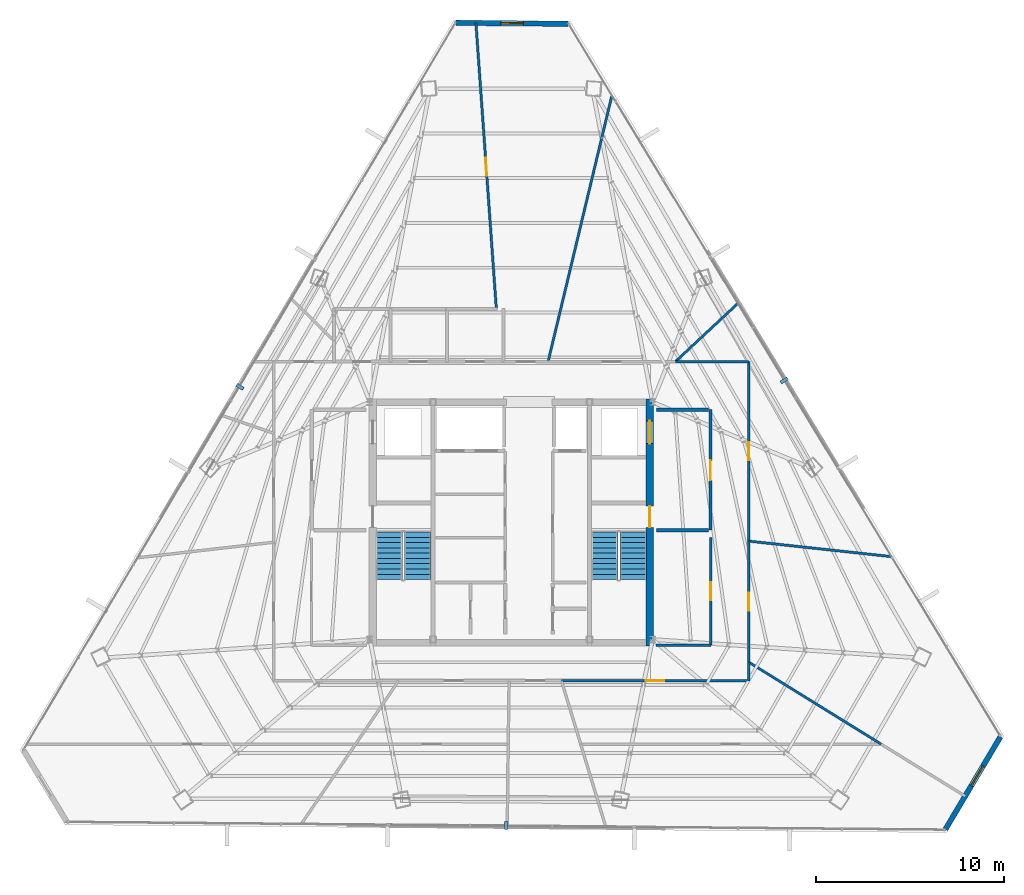
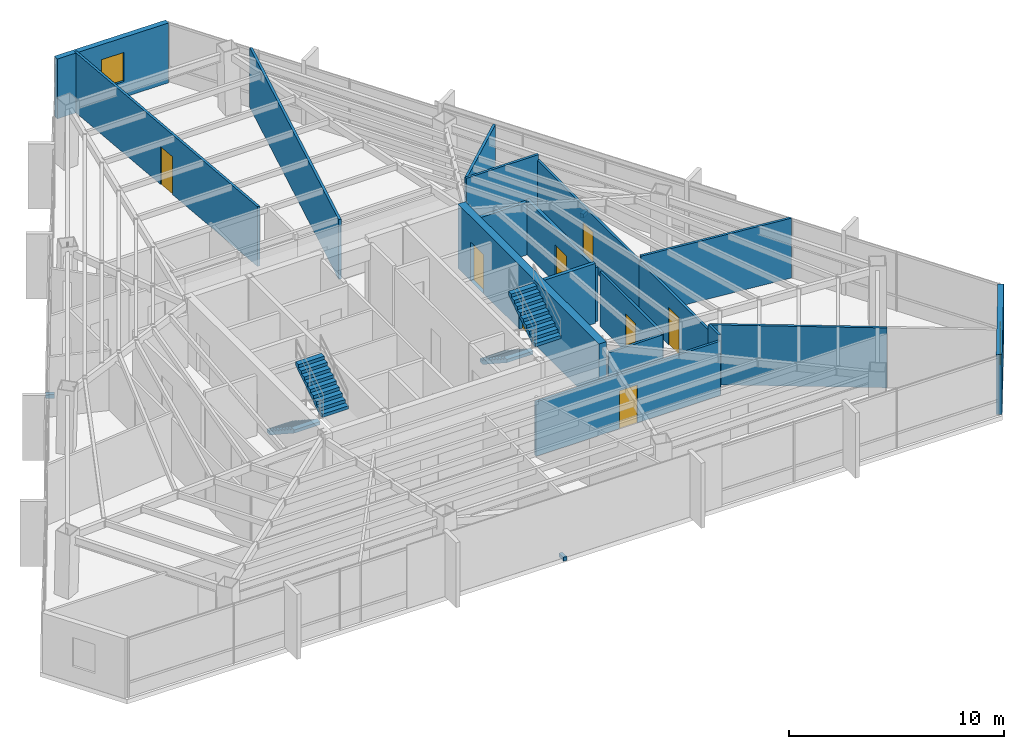
# One storey, part 46 of 49: 18 walls, 8 doors, 4 stair flights, 3 discrete accessories, 2 windows, 10 openings, 2 elements without a shape of their own.
"""IFC4 building model written with IfcOpenShell, lengths in metres."""

from ifc_helpers import new_model, si_unit, direction, frame, frame_2d, origin, origin_2d, place, context, subcontext, project, spatial, polyline, rectangle, outline, extrude, source, transform, mapped, material, layer, layer_set, type_object, type_shapes, element, fill, aggregate, save


model = new_model("IFC4")

# Units and contexts
model_context = context("Model", 3, precision=1e-05, world=origin(), true_north=direction((0.0, 1.0)))
body_context = subcontext(model_context, "Body", "Model", "MODEL_VIEW")
ifc_project = project(units=[si_unit("LENGTHUNIT", "METRE"), si_unit("AREAUNIT", "SQUARE_METRE"), si_unit("VOLUMEUNIT", "CUBIC_METRE"), si_unit("PLANEANGLEUNIT", "RADIAN"), si_unit("MASSUNIT", "GRAM", prefix="KILO")], contexts=[model_context])

# Site, building, storey
site_placement = place(None, origin())
site = spatial("IfcSite", under=ifc_project, at=site_placement, CompositionType="ELEMENT")
building_placement = place(site_placement, origin())
building = spatial("IfcBuilding", under=site, at=building_placement, Name="Caelisora Broadcast Tower", CompositionType="ELEMENT")
storey_placement = place(building_placement, frame((0.0, 0.0, 233.5)))
storey = spatial("IfcBuildingStorey", under=building, at=storey_placement, Name="L61", CompositionType="ELEMENT", Elevation=233.5)

# Wall, openings, doors
ifc_material_1 = material(Name="Concrete 40 MPa (AS 3600 N40)", Category="concrete")
ifc_layer_1 = layer(ifc_material_1, 0.39990234375, Name="Concrete 40 MPa (AS 3600 N40)")
ifc_layer_set_1 = layer_set([ifc_layer_1], Name="Concrete 40 MPa (AS 3600 N40)")
wall_type_1 = type_object("IfcWallType", Name="CW3", PredefinedType="SHEAR", material=ifc_layer_set_1)
wall_1_placement = place(storey_placement, frame((45.360107421875, 17.050048828125, 0.0), z_axis=(0.0, 0.0, 1.0), x_axis=(0.0, 1.0, 0.0)))
wall_1 = element("IfcWall", 1, at=wall_1_placement, inside=storey, type_object=wall_type_1, Name="L61 core shear wall CW3", PredefinedType="SHEAR", context=body_context, shape_type="SweptSolid", body=[
    extrude(rectangle(XDim=13.125, YDim=0.39990234375, at=frame_2d((6.5625, 0.0))), origin(), (0.0, 0.0, 1.0), 3.64990234375),
])
opening_1_placement = place(wall_1_placement, frame((6.300048828125, 0.0, 0.0)))
opening_1 = element("IfcOpeningElement", 2, at=opening_1_placement, cuts=wall_1, Name="Opening FD04", PredefinedType="OPENING", context=body_context, shape_type="SweptSolid", body=[
    extrude(rectangle(XDim=1.1201171875, YDim=2.14990234375, at=frame_2d((0.56005859375, 1.074951171875))), frame((0.0, 0.2119140625, 0.0), z_axis=(0.0, -1.0, 0.0), x_axis=(1.0, 0.0, 0.0)), (0.0, 0.0, 1.0), 0.423828125),
])
opening_2_placement = place(wall_1_placement, frame((10.75, 0.0, 0.0)))
opening_2 = element("IfcOpeningElement", 3, at=opening_2_placement, cuts=wall_1, Name="Opening LD04", PredefinedType="OPENING", context=body_context, shape_type="SweptSolid", body=[
    extrude(rectangle(XDim=1.199951171875, YDim=2.199951171875, at=frame_2d((0.60009765625, 1.10009765625))), frame((0.0, 0.2119140625, 0.0), z_axis=(0.0, -1.0, 0.0), x_axis=(1.0, 0.0, 0.0)), (0.0, 0.0, 1.0), 0.423828125),
])
ifc_material_2 = material(Name="Pressurised Fire-Isolated Stair Door", Category="steel")
door_type_1 = type_object("IfcDoorType", Name="FD04", OperationType="NOTDEFINED", PredefinedType="DOOR", material=ifc_material_2)
door_1_placement = place(opening_1_placement, origin())
door_1 = element("IfcDoor", 4, at=door_1_placement, inside=storey, type_object=door_type_1, Name="L61 door FD04 (L61-DR-ST2)", OperationType="SINGLE_SWING_RIGHT", OverallHeight=2.14990234375, OverallWidth=1.1201171875, PredefinedType="DOOR", context=body_context, shape_type="SweptSolid", body=[
    extrude(rectangle(XDim=1.1201171875, YDim=2.14990234375, at=frame_2d((0.56005859375, 1.074951171875))), frame((0.0, 0.02490234375, 0.0), z_axis=(0.0, -1.0, 0.0), x_axis=(1.0, 0.0, 0.0)), (0.0, 0.0, 1.0), 0.050048828125),
])
fill(opening_1, door_1)
ifc_material_3 = material(Name="Emergency Firefighting Lift Sliding Landing Door", Category="steel")
door_type_2 = type_object("IfcDoorType", Name="LD04", OperationType="NOTDEFINED", PredefinedType="DOOR", material=ifc_material_3)
door_2_placement = place(opening_2_placement, origin())
door_2 = element("IfcDoor", 5, at=door_2_placement, inside=storey, type_object=door_type_2, Name="L61 door LD04 (L61-LD-FFL2)", OperationType="SLIDING_TO_RIGHT", OverallHeight=2.199951171875, OverallWidth=1.199951171875, PredefinedType="DOOR", context=body_context, shape_type="SweptSolid", body=[
    extrude(rectangle(XDim=1.199951171875, YDim=2.199951171875, at=frame_2d((0.60009765625, 1.10009765625))), frame((0.0, 0.02490234375, 0.0), z_axis=(0.0, -1.0, 0.0), x_axis=(1.0, 0.0, 0.0)), (0.0, 0.0, 1.0), 0.050048828125),
])
fill(opening_2, door_2)

# Wall, opening, window
ifc_material_4 = material(Name="Insulated Terracotta Spandrel Wall System", Category="masonry")
ifc_layer_2 = layer(ifc_material_4, 0.280029296875, Name="Insulated Terracotta Spandrel Wall System")
ifc_layer_set_2 = layer_set([ifc_layer_2], Name="Insulated Terracotta Spandrel Wall System")
wall_type_2 = type_object("IfcWallType", Name="EW1", PredefinedType="STANDARD", material=ifc_layer_set_2)
wall_2_placement = place(storey_placement, frame((63.96875, 12.229248046875, 0.0), z_axis=(0.0, 0.0, 1.0), x_axis=(-0.510914941442, -0.859631271308, 0.0)))
wall_2 = element("IfcWall", 6, at=wall_2_placement, inside=storey, type_object=wall_type_2, Name="L61 exterior envelope wall EW1", PredefinedType="STANDARD", context=body_context, shape_type="SweptSolid", body=[
    extrude(rectangle(XDim=5.712158203125, YDim=0.280029296875, at=frame_2d((2.85595703125, 0.0))), origin(), (0.0, 0.0, 1.0), 3.39990234375),
])
opening_3_placement = place(wall_2_placement, frame((1.81005859375, 0.0, 0.89990234375)))
opening_3 = element("IfcOpeningElement", 7, at=opening_3_placement, cuts=wall_2, Name="Opening W03", PredefinedType="OPENING", context=body_context, shape_type="SweptSolid", body=[
    extrude(rectangle(XDim=1.199951171875, YDim=1.64990234375, at=frame_2d((0.60009765625, 0.824951171875))), frame((0.0, 0.152099609375, 0.0), z_axis=(0.0, -1.0, 0.0), x_axis=(1.0, 0.0, 0.0)), (0.0, 0.0, 1.0), 0.303955078125),
])
ifc_material_5 = material(Name="Double Glazed Corner Vision Window", Category="glass")
window_type = type_object("IfcWindowType", Name="W03", PartitioningType="SINGLE_PANEL", PredefinedType="WINDOW", material=ifc_material_5)
window_1_placement = place(opening_3_placement, origin())
window_1 = element("IfcWindow", 8, at=window_1_placement, inside=storey, type_object=window_type, Name="L61 window W03 (L61-WN-CH0)", OverallHeight=1.64990234375, OverallWidth=1.199951171875, PartitioningType="SINGLE_PANEL", PredefinedType="WINDOW", context=body_context, shape_type="SweptSolid", body=[
    extrude(rectangle(XDim=1.199951171875, YDim=1.64990234375, at=frame_2d((0.60009765625, 0.824951171875))), frame((0.0, 0.030029296875, 0.0), z_axis=(0.0, -1.0, 0.0), x_axis=(1.0, 0.0, 0.0)), (0.0, 0.0, 1.0), 0.06005859375),
])
fill(opening_3, window_1)

wall_3_placement = place(storey_placement, frame((35.075927734375, 50.129638671875, 0.0), z_axis=(0.0, 0.0, 1.0), x_axis=(0.999961361151, -0.008790688546, 0.0)))
wall_3 = element("IfcWall", 9, at=wall_3_placement, inside=storey, type_object=wall_type_2, Name="L61 exterior envelope wall EW1", PredefinedType="STANDARD", context=body_context, shape_type="SweptSolid", body=[
    extrude(rectangle(XDim=5.943359375, YDim=0.280029296875, at=frame_2d((2.9716796875, 0.0))), origin(), (0.0, 0.0, 1.0), 3.39990234375),
])
opening_4_placement = place(wall_3_placement, frame((2.3701171875, 0.0, 0.89990234375)))
opening_4 = element("IfcOpeningElement", 10, at=opening_4_placement, cuts=wall_3, Name="Opening W03", PredefinedType="OPENING", context=body_context, shape_type="SweptSolid", body=[
    extrude(rectangle(XDim=1.199951171875, YDim=1.64990234375, at=frame_2d((0.60009765625, 0.824951171875))), frame((0.0, 0.152099609375, 0.0), z_axis=(0.0, -1.0, 0.0), x_axis=(1.0, 0.0, 0.0)), (0.0, 0.0, 1.0), 0.303955078125),
])
window_2_placement = place(opening_4_placement, origin())
window_2 = element("IfcWindow", 11, at=window_2_placement, inside=storey, type_object=window_type, Name="L61 window W03 (L61-WN-CH8)", OverallHeight=1.64990234375, OverallWidth=1.199951171875, PartitioningType="SINGLE_PANEL", PredefinedType="WINDOW", context=body_context, shape_type="SweptSolid", body=[
    extrude(rectangle(XDim=1.199951171875, YDim=1.64990234375, at=frame_2d((0.60009765625, 0.824951171875))), frame((0.0, 0.030029296875, 0.0), z_axis=(0.0, -1.0, 0.0), x_axis=(1.0, 0.0, 0.0)), (0.0, 0.0, 1.0), 0.06005859375),
])
fill(opening_4, window_2)

# Wall, opening, door
ifc_material_6 = material(Name="Fire-Rated Gypsum Shaft and Compartment Wall", Category="gypsum")
ifc_layer_3 = layer(ifc_material_6, 0.179931640625, Name="Fire-Rated Gypsum Shaft and Compartment Wall")
ifc_layer_set_3 = layer_set([ifc_layer_3], Name="Fire-Rated Gypsum Shaft and Compartment Wall")
wall_type_3 = type_object("IfcWallType", Name="PW2", PredefinedType="PARTITIONING", material=ifc_layer_set_3)
wall_4_placement = place(storey_placement, frame((48.580078125, 23.199951171875, 0.0), z_axis=(0.0, 0.0, 1.0), x_axis=(0.0, 1.0, 0.0)))
wall_4 = element("IfcWall", 12, at=wall_4_placement, inside=storey, type_object=wall_type_3, Name="L61 fire compartment wall PW2", PredefinedType="PARTITIONING", context=body_context, shape_type="SweptSolid", body=[
    extrude(rectangle(XDim=6.400146484375, YDim=0.179931640625, at=frame_2d((3.2001953125, 0.0))), origin(), (0.0, 0.0, 1.0), 3.0849609375),
])
opening_5_placement = place(wall_4_placement, frame((2.64990234375, 0.0, 0.0)))
opening_5 = element("IfcOpeningElement", 13, at=opening_5_placement, cuts=wall_4, Name="Opening FD02", PredefinedType="OPENING", context=body_context, shape_type="SweptSolid", body=[
    extrude(rectangle(XDim=1.050048828125, YDim=2.14990234375, at=frame_2d((0.52490234375, 1.074951171875))), frame((0.0, 0.10205078125, 0.0), z_axis=(0.0, -1.0, 0.0), x_axis=(1.0, 0.0, 0.0)), (0.0, 0.0, 1.0), 0.203857421875),
])
ifc_material_7 = material(Name="Single-Leaf Steel Fire Lobby Door", Category="steel")
door_type_3 = type_object("IfcDoorType", Name="FD02", OperationType="NOTDEFINED", PredefinedType="DOOR", material=ifc_material_7)
door_3_placement = place(opening_5_placement, origin())
door_3 = element("IfcDoor", 14, at=door_3_placement, inside=storey, type_object=door_type_3, Name="L61 door FD02 (L61-DR-P04D1)", OperationType="SINGLE_SWING_RIGHT", OverallHeight=2.14990234375, OverallWidth=1.050048828125, PredefinedType="DOOR", context=body_context, shape_type="SweptSolid", body=[
    extrude(rectangle(XDim=1.050048828125, YDim=2.14990234375, at=frame_2d((0.52490234375, 1.074951171875))), frame((0.0, 0.02490234375, 0.0), z_axis=(0.0, -1.0, 0.0), x_axis=(1.0, 0.0, 0.0)), (0.0, 0.0, 1.0), 0.050048828125),
])
fill(opening_5, door_3)

# Walls
wall_5_placement = place(storey_placement, frame((45.719970703125, 23.199951171875, 0.0), z_axis=(0.0, 0.0, 1.0), x_axis=(1.0, 0.0, 0.0)))
element("IfcWall", 15, at=wall_5_placement, inside=storey, type_object=wall_type_3, Name="L61 fire compartment wall PW2", PredefinedType="PARTITIONING", context=body_context, shape_type="SweptSolid", body=[
    extrude(rectangle(XDim=2.760009765625, YDim=0.179931640625, at=frame_2d((1.3798828125, 0.0))), origin(), (0.0, 0.0, 1.0), 3.39990234375),
])
wall_6_placement = place(storey_placement, frame((45.719970703125, 29.60009765625, 0.0), z_axis=(0.0, 0.0, 1.0), x_axis=(1.0, 0.0, 0.0)))
element("IfcWall", 16, at=wall_6_placement, inside=storey, type_object=wall_type_3, Name="L61 fire compartment wall PW2", PredefinedType="PARTITIONING", context=body_context, shape_type="SweptSolid", body=[
    extrude(rectangle(XDim=2.760009765625, YDim=0.179931640625, at=frame_2d((1.3798828125, 0.0))), origin(), (0.0, 0.0, 1.0), 2.985107421875),
])

# Wall, opening, door
ifc_material_8 = material(Name="Acoustic Steel-Stud Plasterboard Partition", Category="gypsum")
ifc_layer_4 = layer(ifc_material_8, 0.1298828125, Name="Acoustic Steel-Stud Plasterboard Partition")
ifc_layer_set_4 = layer_set([ifc_layer_4], Name="Acoustic Steel-Stud Plasterboard Partition")
wall_type_4 = type_object("IfcWallType", Name="PW3", PredefinedType="PARTITIONING", material=ifc_layer_set_4)
wall_7_placement = place(storey_placement, frame((36.126708984375, 50.12548828125, 0.0), z_axis=(0.0, 0.0, 1.0), x_axis=(0.07122423446, -0.997460329249, 0.0)))
wall_7 = element("IfcWall", 17, at=wall_7_placement, inside=storey, type_object=wall_type_4, Name="L61 internal partition PW3", PredefinedType="PARTITIONING", context=body_context, shape_type="SweptSolid", body=[
    extrude(rectangle(XDim=15.208984375, YDim=0.1298828125, at=frame_2d((7.6044921875, 0.0))), origin(), (0.0, 0.0, 1.0), 3.39990234375),
])
opening_6_placement = place(wall_7_placement, frame((7.172119140625, 0.0, 0.0)))
opening_6 = element("IfcOpeningElement", 18, at=opening_6_placement, cuts=wall_7, Name="Opening D01", PredefinedType="OPENING", context=body_context, shape_type="SweptSolid", body=[
    extrude(rectangle(XDim=0.9599609375, YDim=2.14990234375, at=frame_2d((0.47998046875, 1.074951171875))), frame((0.0, 0.076904296875, 0.0), z_axis=(0.0, -1.0, 0.0), x_axis=(1.0, 0.0, 0.0)), (0.0, 0.0, 1.0), 0.15380859375),
])
ifc_material_9 = material(Name="Solid-Core Timber Acoustic Office Door", Category="wood")
door_type_4 = type_object("IfcDoorType", Name="D01", OperationType="NOTDEFINED", PredefinedType="DOOR", material=ifc_material_9)
door_4_placement = place(opening_6_placement, origin())
door_4 = element("IfcDoor", 19, at=door_4_placement, inside=storey, type_object=door_type_4, Name="L61 door D01 (L61-DR-P32D1)", OperationType="SINGLE_SWING_RIGHT", OverallHeight=2.14990234375, OverallWidth=0.9599609375, PredefinedType="DOOR", context=body_context, shape_type="SweptSolid", body=[
    extrude(rectangle(XDim=0.9599609375, YDim=2.14990234375, at=frame_2d((0.47998046875, 1.074951171875))), frame((0.0, 0.02490234375, 0.0), z_axis=(0.0, -1.0, 0.0), x_axis=(1.0, 0.0, 0.0)), (0.0, 0.0, 1.0), 0.050048828125),
])
fill(opening_6, door_4)

# Wall
wall_8_placement = place(storey_placement, frame((39.9609375, 32.155029296875, 0.0), z_axis=(0.0, 0.0, 1.0), x_axis=(0.233088399581, 0.972455550645, 0.0)))
element("IfcWall", 20, at=wall_8_placement, inside=storey, type_object=wall_type_4, Name="L61 internal partition PW3", PredefinedType="PARTITIONING", context=body_context, shape_type="SweptSolid", body=[
    extrude(rectangle(XDim=14.5380859375, YDim=0.1298828125, at=frame_2d((7.26904296875, 0.0))), origin(), (0.0, 0.0, 1.0), 3.39990234375),
])

# Wall, opening, door
wall_9_placement = place(storey_placement, frame((40.675048828125, 15.199951171875, 0.0), z_axis=(0.0, 0.0, 1.0), x_axis=(1.0, 0.0, 0.0)))
wall_9 = element("IfcWall", 21, at=wall_9_placement, inside=storey, type_object=wall_type_4, Name="L61 internal partition PW3", PredefinedType="PARTITIONING", context=body_context, shape_type="SweptSolid", body=[
    extrude(rectangle(XDim=9.919921875, YDim=0.1298828125, at=frame_2d((4.9599609375, 0.0))), origin(), (0.0, 0.0, 1.0), 3.0849609375),
])
opening_7_placement = place(wall_9_placement, frame((4.47998046875, 0.0, 0.0)))
opening_7 = element("IfcOpeningElement", 22, at=opening_7_placement, cuts=wall_9, Name="Opening D01", PredefinedType="OPENING", context=body_context, shape_type="SweptSolid", body=[
    extrude(rectangle(XDim=0.9599609375, YDim=2.14990234375, at=frame_2d((0.47998046875, 1.074951171875))), frame((0.0, 0.076904296875, 0.0), z_axis=(0.0, -1.0, 0.0), x_axis=(1.0, 0.0, 0.0)), (0.0, 0.0, 1.0), 0.15380859375),
])
door_5_placement = place(opening_7_placement, origin())
door_5 = element("IfcDoor", 23, at=door_5_placement, inside=storey, type_object=door_type_4, Name="L61 door D01 (L61-DR-P35D1)", OperationType="SINGLE_SWING_LEFT", OverallHeight=2.14990234375, OverallWidth=0.9599609375, PredefinedType="DOOR", context=body_context, shape_type="SweptSolid", body=[
    extrude(rectangle(XDim=0.9599609375, YDim=2.14990234375, at=frame_2d((0.47998046875, 1.074951171875))), frame((0.0, 0.02490234375, 0.0), z_axis=(0.0, -1.0, 0.0), x_axis=(1.0, 0.0, 0.0)), (0.0, 0.0, 1.0), 0.050048828125),
])
fill(opening_7, door_5)

wall_10_placement = place(storey_placement, frame((50.60009765625, 22.625, 0.0), z_axis=(0.0, 0.0, 1.0), x_axis=(0.0, 1.0, 0.0)))
wall_10 = element("IfcWall", 24, at=wall_10_placement, inside=storey, type_object=wall_type_4, Name="L61 internal partition PW3", PredefinedType="PARTITIONING", context=body_context, shape_type="SweptSolid", body=[
    extrude(rectangle(XDim=9.52001953125, YDim=0.1298828125, at=frame_2d((4.760009765625, 0.0))), origin(), (0.0, 0.0, 1.0), 3.0849609375),
])
opening_8_placement = place(wall_10_placement, frame((4.280029296875, 0.0, 0.0)))
opening_8 = element("IfcOpeningElement", 25, at=opening_8_placement, cuts=wall_10, Name="Opening D01", PredefinedType="OPENING", context=body_context, shape_type="SweptSolid", body=[
    extrude(rectangle(XDim=0.9599609375, YDim=2.14990234375, at=frame_2d((0.47998046875, 1.074951171875))), frame((0.0, 0.076904296875, 0.0), z_axis=(0.0, -1.0, 0.0), x_axis=(1.0, 0.0, 0.0)), (0.0, 0.0, 1.0), 0.15380859375),
])
door_6_placement = place(opening_8_placement, origin())
door_6 = element("IfcDoor", 26, at=door_6_placement, inside=storey, type_object=door_type_4, Name="L61 door D01 (L61-DR-P36D1)", OperationType="SINGLE_SWING_RIGHT", OverallHeight=2.14990234375, OverallWidth=0.9599609375, PredefinedType="DOOR", context=body_context, shape_type="SweptSolid", body=[
    extrude(rectangle(XDim=0.9599609375, YDim=2.14990234375, at=frame_2d((0.47998046875, 1.074951171875))), frame((0.0, 0.02490234375, 0.0), z_axis=(0.0, -1.0, 0.0), x_axis=(1.0, 0.0, 0.0)), (0.0, 0.0, 1.0), 0.050048828125),
])
fill(opening_8, door_6)

# Walls
wall_11_placement = place(storey_placement, frame((50.60400390625, 16.197021484375, 0.0), z_axis=(0.0, 0.0, 1.0), x_axis=(0.850217962251, -0.526430827997, 0.0)))
element("IfcWall", 27, at=wall_11_placement, inside=storey, type_object=wall_type_4, Name="L61 internal partition PW3", PredefinedType="PARTITIONING", context=body_context, shape_type="SweptSolid", body=[
    extrude(rectangle(XDim=8.270751953125, YDim=0.1298828125, at=frame_2d((4.13525390625, 0.0))), origin(), (0.0, 0.0, 1.0), 3.39990234375),
])
wall_12_placement = place(storey_placement, frame((50.60498046875, 22.618896484375, 0.0), z_axis=(0.0, 0.0, 1.0), x_axis=(0.994154824256, -0.10796381527, 0.0)))
element("IfcWall", 28, at=wall_12_placement, inside=storey, type_object=wall_type_4, Name="L61 internal partition PW3", PredefinedType="PARTITIONING", context=body_context, shape_type="SweptSolid", body=[
    extrude(rectangle(XDim=7.6455078125, YDim=0.1298828125, at=frame_2d((3.82275390625, 0.0))), origin(), (0.0, 0.0, 1.0), 3.39990234375),
])

# Wall, opening, door
wall_13_placement = place(storey_placement, frame((50.60009765625, 16.205078125, 0.0), z_axis=(0.0, 0.0, 1.0), x_axis=(0.0, 1.0, 0.0)))
wall_13 = element("IfcWall", 29, at=wall_13_placement, inside=storey, type_object=wall_type_4, Name="L61 internal partition PW3", PredefinedType="PARTITIONING", context=body_context, shape_type="SweptSolid", body=[
    extrude(rectangle(XDim=6.409912109375, YDim=0.1298828125, at=frame_2d((3.205078125, 0.0))), origin(), (0.0, 0.0, 1.0), 3.0849609375),
])
opening_9_placement = place(wall_13_placement, frame((2.72509765625, 0.0, 0.0)))
opening_9 = element("IfcOpeningElement", 30, at=opening_9_placement, cuts=wall_13, Name="Opening D01", PredefinedType="OPENING", context=body_context, shape_type="SweptSolid", body=[
    extrude(rectangle(XDim=0.9599609375, YDim=2.14990234375, at=frame_2d((0.47998046875, 1.074951171875))), frame((0.0, 0.076904296875, 0.0), z_axis=(0.0, -1.0, 0.0), x_axis=(1.0, 0.0, 0.0)), (0.0, 0.0, 1.0), 0.15380859375),
])
door_7_placement = place(opening_9_placement, origin())
door_7 = element("IfcDoor", 31, at=door_7_placement, inside=storey, type_object=door_type_4, Name="L61 door D01 (L61-DR-P45D1)", OperationType="SINGLE_SWING_RIGHT", OverallHeight=2.14990234375, OverallWidth=0.9599609375, PredefinedType="DOOR", context=body_context, shape_type="SweptSolid", body=[
    extrude(rectangle(XDim=0.9599609375, YDim=2.14990234375, at=frame_2d((0.47998046875, 1.074951171875))), frame((0.0, 0.02490234375, 0.0), z_axis=(0.0, -1.0, 0.0), x_axis=(1.0, 0.0, 0.0)), (0.0, 0.0, 1.0), 0.050048828125),
])
fill(opening_9, door_7)

wall_14_placement = place(storey_placement, frame((48.60009765625, 17.10498046875, 0.0), z_axis=(0.0, 0.0, 1.0), x_axis=(0.0, 1.0, 0.0)))
wall_14 = element("IfcWall", 32, at=wall_14_placement, inside=storey, type_object=wall_type_4, Name="L61 internal partition PW3", PredefinedType="PARTITIONING", context=body_context, shape_type="SweptSolid", body=[
    extrude(rectangle(XDim=5.715087890625, YDim=0.1298828125, at=frame_2d((2.857421875, 0.0))), origin(), (0.0, 0.0, 1.0), 3.0849609375),
])
opening_10_placement = place(wall_14_placement, frame((2.376953125, 0.0, 0.0)))
opening_10 = element("IfcOpeningElement", 33, at=opening_10_placement, cuts=wall_14, Name="Opening D01", PredefinedType="OPENING", context=body_context, shape_type="SweptSolid", body=[
    extrude(rectangle(XDim=0.9599609375, YDim=2.14990234375, at=frame_2d((0.47998046875, 1.074951171875))), frame((0.0, 0.076904296875, 0.0), z_axis=(0.0, -1.0, 0.0), x_axis=(1.0, 0.0, 0.0)), (0.0, 0.0, 1.0), 0.15380859375),
])
door_8_placement = place(opening_10_placement, origin())
door_8 = element("IfcDoor", 34, at=door_8_placement, inside=storey, type_object=door_type_4, Name="L61 door D01 (L61-DR-P48D1)", OperationType="SINGLE_SWING_LEFT", OverallHeight=2.14990234375, OverallWidth=0.9599609375, PredefinedType="DOOR", context=body_context, shape_type="SweptSolid", body=[
    extrude(rectangle(XDim=0.9599609375, YDim=2.14990234375, at=frame_2d((0.47998046875, 1.074951171875))), frame((0.0, 0.02490234375, 0.0), z_axis=(0.0, -1.0, 0.0), x_axis=(1.0, 0.0, 0.0)), (0.0, 0.0, 1.0), 0.050048828125),
])
fill(opening_10, door_8)

# Walls
wall_15_placement = place(storey_placement, frame((46.72412109375, 32.153076171875, 0.0), z_axis=(0.0, 0.0, 1.0), x_axis=(0.731325150739, 0.682028975848, 0.0)))
element("IfcWall", 35, at=wall_15_placement, inside=storey, type_object=wall_type_4, Name="L61 internal partition PW3", PredefinedType="PARTITIONING", context=body_context, shape_type="SweptSolid", body=[
    extrude(rectangle(XDim=4.54150390625, YDim=0.1298828125, at=frame_2d((2.270751953125, 0.0))), origin(), (0.0, 0.0, 1.0), 3.39990234375),
])
wall_16_placement = place(storey_placement, frame((50.594970703125, 32.14990234375, 0.0), z_axis=(0.0, 0.0, 1.0), x_axis=(-1.0, 0.0, 0.0)))
element("IfcWall", 36, at=wall_16_placement, inside=storey, type_object=wall_type_4, Name="L61 internal partition PW3", PredefinedType="PARTITIONING", context=body_context, shape_type="SweptSolid", body=[
    extrude(rectangle(XDim=3.869873046875, YDim=0.1298828125, at=frame_2d((1.93505859375, 0.0))), origin(), (0.0, 0.0, 1.0), 3.39990234375),
])
wall_17_placement = place(storey_placement, frame((45.675048828125, 17.10009765625, 0.0), z_axis=(0.0, 0.0, 1.0), x_axis=(1.0, 0.0, 0.0)))
element("IfcWall", 37, at=wall_17_placement, inside=storey, type_object=wall_type_4, Name="L61 internal partition PW3", PredefinedType="PARTITIONING", context=body_context, shape_type="SweptSolid", body=[
    extrude(rectangle(XDim=2.919921875, YDim=0.1298828125, at=frame_2d((1.4599609375, 0.0))), origin(), (0.0, 0.0, 1.0), 2.985107421875),
])
wall_18_placement = place(storey_placement, frame((50.60009765625, 15.205078125, 0.0), z_axis=(0.0, 0.0, 1.0), x_axis=(0.0, 1.0, 0.0)))
element("IfcWall", 38, at=wall_18_placement, inside=storey, type_object=wall_type_4, Name="L61 internal partition PW3", PredefinedType="PARTITIONING", context=body_context, shape_type="SweptSolid", body=[
    extrude(rectangle(XDim=0.989990234375, YDim=0.1298828125, at=frame_2d((0.4951171875, 0.0))), origin(), (0.0, 0.0, 1.0), 3.39990234375),
])

# Stair, stair flights
stair_type_1 = type_object("IfcStairType", Name="ST-1", PredefinedType="HALF_TURN_STAIR", material=ifc_material_1)
stair_1_placement = place(storey_placement, origin())
stair_1 = element("IfcStair", 39, at=stair_1_placement, inside=storey, type_object=stair_type_1, Name="L61 West Fire-Isolated Tower Stair", PredefinedType="HALF_TURN_STAIR")
stair_flight_type = type_object("IfcStairFlightType", Name="STF-4", PredefinedType="STRAIGHT", material=ifc_material_1)
stair_flight_1_placement = place(storey_placement, frame((31.52001953125, 23.10009765625, 0.0), z_axis=(0.0, 0.0, 1.0), x_axis=(0.0, -1.0, 0.0)))
stair_flight_1 = element("IfcStairFlight", 40, at=stair_flight_1_placement, type_object=stair_flight_type, Name="ST-1 flight 1", NumberOfRisers=10, NumberOfTreads=9, PredefinedType="STRAIGHT", RiserHeight=0.1825, TreadLength=0.28, context=body_context, shape_type="SweptSolid", body=[
    extrude(outline(polyline([(0.0, 0.0), (0.0, 0.1826171875), (0.280029296875, 0.1826171875), (0.280029296875, 0.364990234375), (0.56005859375, 0.364990234375), (0.56005859375, 0.547607421875), (0.840087890625, 0.547607421875), (0.840087890625, 0.72998046875), (1.1201171875, 0.72998046875), (1.1201171875, 0.91259765625), (1.39990234375, 0.91259765625), (1.39990234375, 1.094970703125), (1.679931640625, 1.094970703125), (1.679931640625, 1.277587890625), (1.9599609375, 1.277587890625), (1.9599609375, 1.4599609375), (2.239990234375, 1.4599609375), (2.239990234375, 1.642578125), (2.52001953125, 1.642578125), (2.52001953125, 1.824951171875), (2.52001953125, 1.463623046875), (0.2744140625, 0.0), (0.0, 0.0)])), frame((0.0, 0.699951171875, 0.0), z_axis=(0.0, -1.0, 0.0), x_axis=(1.0, 0.0, 0.0)), (0.0, 0.0, 1.0), 1.39990234375),
])
stair_flight_2_placement = place(storey_placement, frame((33.0400390625, 20.580078125, 1.824951171875), z_axis=(0.0, 0.0, 1.0), x_axis=(0.0, 1.0, 0.0)))
stair_flight_2 = element("IfcStairFlight", 41, at=stair_flight_2_placement, type_object=stair_flight_type, Name="ST-1 flight 2", NumberOfRisers=10, NumberOfTreads=9, PredefinedType="STRAIGHT", RiserHeight=0.1825, TreadLength=0.28, context=body_context, shape_type="SweptSolid", body=[
    extrude(outline(polyline([(0.0, 0.0), (0.0, 0.1826171875), (0.280029296875, 0.1826171875), (0.280029296875, 0.364990234375), (0.56005859375, 0.364990234375), (0.56005859375, 0.547607421875), (0.840087890625, 0.547607421875), (0.840087890625, 0.72998046875), (1.1201171875, 0.72998046875), (1.1201171875, 0.91259765625), (1.39990234375, 0.91259765625), (1.39990234375, 1.094970703125), (1.679931640625, 1.094970703125), (1.679931640625, 1.277587890625), (1.9599609375, 1.277587890625), (1.9599609375, 1.4599609375), (2.239990234375, 1.4599609375), (2.239990234375, 1.642578125), (2.52001953125, 1.642578125), (2.52001953125, 1.824951171875), (2.52001953125, 1.463623046875), (0.2744140625, 0.0), (0.0, 0.0)])), frame((0.0, 0.699951171875, 0.0), z_axis=(0.0, -1.0, 0.0), x_axis=(1.0, 0.0, 0.0)), (0.0, 0.0, 1.0), 1.39990234375),
])
aggregate(stair_1, [stair_flight_1, stair_flight_2])

stair_type_2 = type_object("IfcStairType", Name="ST-2", PredefinedType="HALF_TURN_STAIR", material=ifc_material_1)
stair_2_placement = place(storey_placement, origin())
stair_2 = element("IfcStair", 42, at=stair_2_placement, inside=storey, type_object=stair_type_2, Name="L61 East Fire-Isolated Tower Stair", PredefinedType="HALF_TURN_STAIR")
stair_flight_3_placement = place(storey_placement, frame((42.9599609375, 23.10009765625, 0.0), z_axis=(0.0, 0.0, 1.0), x_axis=(0.0, -1.0, 0.0)))
stair_flight_3 = element("IfcStairFlight", 43, at=stair_flight_3_placement, type_object=stair_flight_type, Name="ST-2 flight 1", NumberOfRisers=10, NumberOfTreads=9, PredefinedType="STRAIGHT", RiserHeight=0.1825, TreadLength=0.28, context=body_context, shape_type="SweptSolid", body=[
    extrude(outline(polyline([(0.0, 0.0), (0.0, 0.1826171875), (0.280029296875, 0.1826171875), (0.280029296875, 0.364990234375), (0.56005859375, 0.364990234375), (0.56005859375, 0.547607421875), (0.840087890625, 0.547607421875), (0.840087890625, 0.72998046875), (1.1201171875, 0.72998046875), (1.1201171875, 0.91259765625), (1.39990234375, 0.91259765625), (1.39990234375, 1.094970703125), (1.679931640625, 1.094970703125), (1.679931640625, 1.277587890625), (1.9599609375, 1.277587890625), (1.9599609375, 1.4599609375), (2.239990234375, 1.4599609375), (2.239990234375, 1.642578125), (2.52001953125, 1.642578125), (2.52001953125, 1.824951171875), (2.52001953125, 1.463623046875), (0.2744140625, 0.0), (0.0, 0.0)])), frame((0.0, 0.699951171875, 0.0), z_axis=(0.0, -1.0, 0.0), x_axis=(1.0, 0.0, 0.0)), (0.0, 0.0, 1.0), 1.39990234375),
])
stair_flight_4_placement = place(storey_placement, frame((44.47998046875, 20.580078125, 1.824951171875), z_axis=(0.0, 0.0, 1.0), x_axis=(0.0, 1.0, 0.0)))
stair_flight_4 = element("IfcStairFlight", 44, at=stair_flight_4_placement, type_object=stair_flight_type, Name="ST-2 flight 2", NumberOfRisers=10, NumberOfTreads=9, PredefinedType="STRAIGHT", RiserHeight=0.1825, TreadLength=0.28, context=body_context, shape_type="SweptSolid", body=[
    extrude(outline(polyline([(0.0, 0.0), (0.0, 0.1826171875), (0.280029296875, 0.1826171875), (0.280029296875, 0.364990234375), (0.56005859375, 0.364990234375), (0.56005859375, 0.547607421875), (0.840087890625, 0.547607421875), (0.840087890625, 0.72998046875), (1.1201171875, 0.72998046875), (1.1201171875, 0.91259765625), (1.39990234375, 0.91259765625), (1.39990234375, 1.094970703125), (1.679931640625, 1.094970703125), (1.679931640625, 1.277587890625), (1.9599609375, 1.277587890625), (1.9599609375, 1.4599609375), (2.239990234375, 1.4599609375), (2.239990234375, 1.642578125), (2.52001953125, 1.642578125), (2.52001953125, 1.824951171875), (2.52001953125, 1.463623046875), (0.2744140625, 0.0), (0.0, 0.0)])), frame((0.0, 0.699951171875, 0.0), z_axis=(0.0, -1.0, 0.0), x_axis=(1.0, 0.0, 0.0)), (0.0, 0.0, 1.0), 1.39990234375),
])
aggregate(stair_2, [stair_flight_3, stair_flight_4])

# Discrete accessories
ifc_material_10 = material(Name="Steel Grade 350 (AS/NZS 3679.1)", Category="steel")
discrete_accessory_type = type_object("IfcDiscreteAccessoryType", Name="BRK-1", PredefinedType="BRACKET", material=ifc_material_10)
shared_shape = source(origin(), body_context, "Body", "SweptSolid", [
    extrude(rectangle(XDim=0.179931640625, YDim=0.419921875, at=origin_2d()), origin(), (0.0, 0.0, 1.0), 0.219970703125),
])
type_shapes(discrete_accessory_type, [shared_shape])
for number, where, z_axis, x_axis, name in (
    (45, (23.59814453125, 30.80908203125, -0.16015625), (0.0, 0.0, 1.0), (-0.510843031866, -0.859674006117, 0.0), "L61 solar screen outrigger bracket #1"),
    (46, (37.7255859375, 7.530517578125, -0.16015625), (0.0, 0.0, 1.0), (0.999960384766, -0.008901061644, 0.0), "L61 solar screen outrigger bracket #2"),
    (47, (52.49267578125, 31.147705078125, -0.16015625), (0.0, 0.0, 1.0), (-0.518474806022, 0.855092904614, 0.0), "L61 solar screen outrigger bracket #3"),
):
    element("IfcDiscreteAccessory", number, at=place(storey_placement, frame(where, z_axis=z_axis, x_axis=x_axis)), inside=storey, type_object=discrete_accessory_type, Name=name, PredefinedType="BRACKET", context=body_context, shape_type="MappedRepresentation", body=[
        mapped(shared_shape, transform((0.0, 0.0, 0.0), scale=1.0)),
    ])

save(model, "model.ifc")
